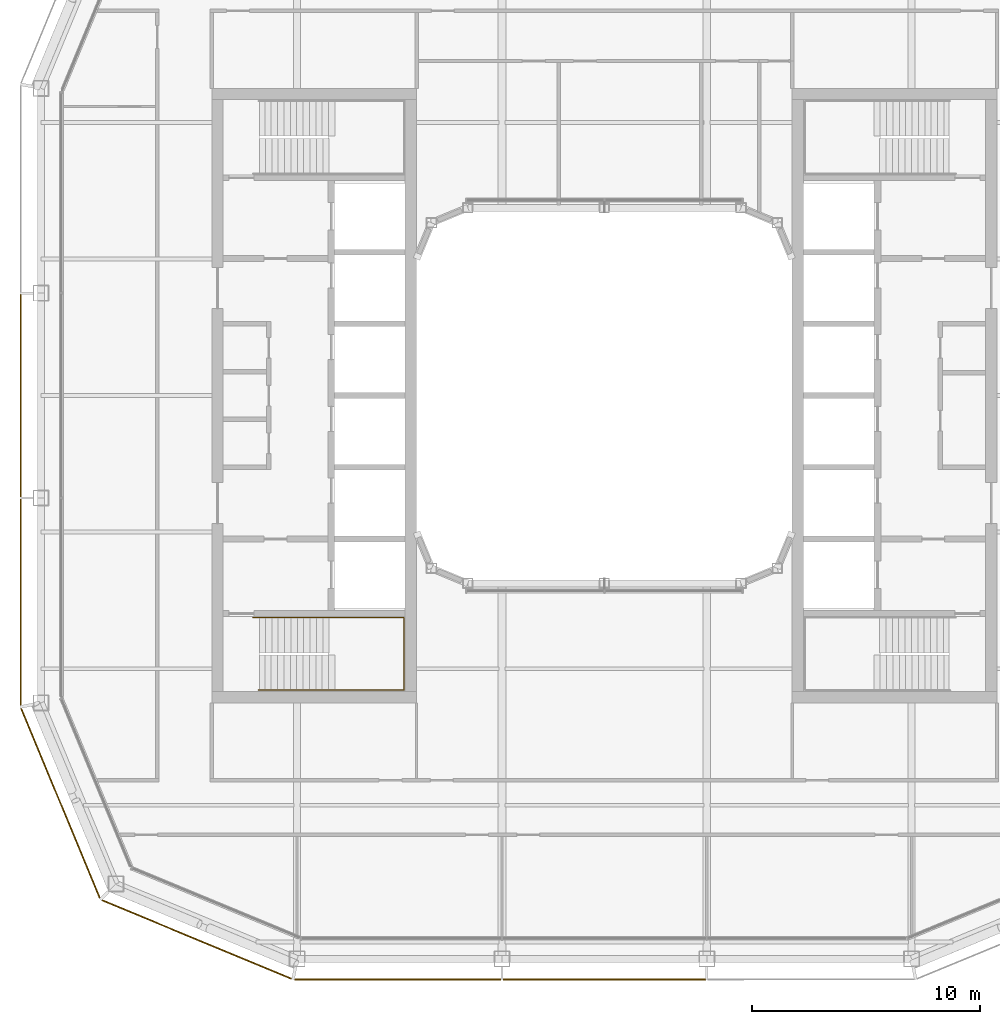
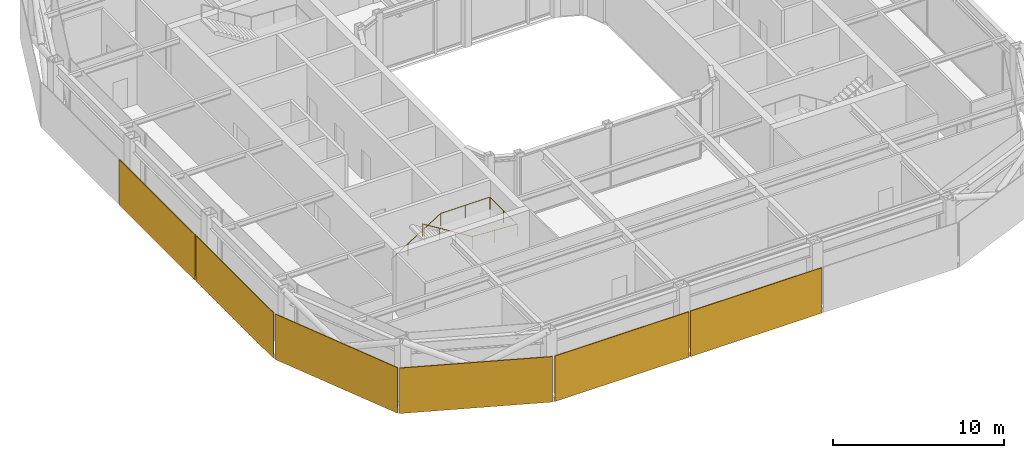
# One storey, part 17 of 21: 6 coverings, 1 railing.
"""IFC4 building model written with IfcOpenShell, lengths in metres."""

from ifc_helpers import new_model, si_unit, direction, frame, origin, origin_2d, place, context, subcontext, project, spatial, rectangle, circle, extrude, material, layer, layer_set, type_object, element, save


model = new_model("IFC4")

# Units and contexts
model_context = context("Model", 3, precision=1e-05, world=origin(), true_north=direction((0.0, 1.0)))
body_context = subcontext(model_context, "Body", "Model", "MODEL_VIEW")
ifc_project = project(units=[si_unit("LENGTHUNIT", "METRE"), si_unit("AREAUNIT", "SQUARE_METRE"), si_unit("VOLUMEUNIT", "CUBIC_METRE"), si_unit("PLANEANGLEUNIT", "RADIAN"), si_unit("MASSUNIT", "GRAM", prefix="KILO")], contexts=[model_context])

# Site, building, storey
site_placement = place(None, origin())
site = spatial("IfcSite", under=ifc_project, at=site_placement, CompositionType="ELEMENT")
building_placement = place(site_placement, origin())
building = spatial("IfcBuilding", under=site, at=building_placement, Name="Siwar Civic Tower", CompositionType="ELEMENT")
storey_placement = place(building_placement, frame((0.0, 0.0, 343.699951171875)))
storey = spatial("IfcBuildingStorey", under=building, at=storey_placement, Name="L74", CompositionType="ELEMENT", Elevation=343.699951171875)

# Railing
ifc_material_1 = material(Name="Stainless steel", Category="steel")
railing_type = type_object("IfcRailingType", Name="CORE-STAIR-HANDRAIL", PredefinedType="HANDRAIL", material=ifc_material_1)
railing_placement = place(storey_placement, frame((-15.449951171875, -9.758056640625, 0.173095703125)))
element("IfcRailing", 1, at=railing_placement, inside=storey, type_object=railing_type, Name="Stair handrail ST2", PredefinedType="HANDRAIL", context=body_context, shape_type="SweptSolid", body=[
    extrude(circle(Radius=0.02001953125, at=origin_2d()), frame((0.0, 0.0, 0.8798828125), z_axis=(0.847063342986, 0.0, 0.531491950051), x_axis=(0.0, 1.0, 0.0)), (0.0, 0.0, 1.0), 3.90771484375),
    extrude(circle(Radius=0.02001953125, at=origin_2d()), frame((3.31005859375, 0.0, 2.956787109375), z_axis=(1.0, 0.0, 0.0), x_axis=(0.0, 1.0, 0.0)), (0.0, 0.0, 1.0), 3.331787109375),
    extrude(circle(Radius=0.02001953125, at=origin_2d()), frame((6.641845703125, 0.0, 2.956787109375), z_axis=(0.0, -1.0, 0.0), x_axis=(1.0, 0.0, 0.0)), (0.0, 0.0, 1.0), 3.183837890625),
    extrude(circle(Radius=0.02001953125, at=origin_2d()), frame((6.641845703125, -3.183837890625, 2.956787109375), z_axis=(-0.99837434197, 0.0, 0.056997134106), x_axis=(0.0, -1.0, 0.0)), (0.0, 0.0, 1.0), 3.036865234375),
    extrude(circle(Radius=0.02001953125, at=origin_2d()), frame((3.60986328125, -3.183837890625, 3.1298828125), z_axis=(-0.850606129759, 0.0, 0.525803396734), x_axis=(0.0, -1.0, 0.0)), (0.0, 0.0, 1.0), 3.949951171875),
    extrude(circle(Radius=0.02001953125, at=origin_2d()), origin(), (0.0, 0.0, 1.0), 0.85986328125),
    extrude(circle(Radius=0.02001953125, at=origin_2d()), frame((1.103271484375, 0.0, 0.6923828125)), (0.0, 0.0, 1.0), 0.85986328125),
    extrude(circle(Radius=0.02001953125, at=origin_2d()), frame((2.206787109375, 0.0, 1.384521484375)), (0.0, 0.0, 1.0), 0.85986328125),
    extrude(circle(Radius=0.02001953125, at=origin_2d()), frame((3.31005859375, 0.0, 2.076904296875)), (0.0, 0.0, 1.0), 0.85986328125),
    extrude(circle(Radius=0.02001953125, at=origin_2d()), frame((4.97607421875, 0.0, 2.076904296875)), (0.0, 0.0, 1.0), 0.85986328125),
    extrude(circle(Radius=0.02001953125, at=origin_2d()), frame((6.641845703125, 0.0, 2.076904296875)), (0.0, 0.0, 1.0), 0.85986328125),
    extrude(circle(Radius=0.02001953125, at=origin_2d()), frame((6.641845703125, -1.591796875, 2.076904296875)), (0.0, 0.0, 1.0), 0.85986328125),
    extrude(circle(Radius=0.02001953125, at=origin_2d()), frame((6.641845703125, -3.183837890625, 2.076904296875)), (0.0, 0.0, 1.0), 0.85986328125),
    extrude(circle(Radius=0.02001953125, at=origin_2d()), frame((5.1259765625, -3.183837890625, 2.16357421875)), (0.0, 0.0, 1.0), 0.85986328125),
    extrude(circle(Radius=0.02001953125, at=origin_2d()), frame((3.60986328125, -3.183837890625, 2.25)), (0.0, 0.0, 1.0), 0.85986328125),
    extrude(circle(Radius=0.02001953125, at=origin_2d()), frame((2.489990234375, -3.183837890625, 2.9423828125)), (0.0, 0.0, 1.0), 0.85986328125),
    extrude(circle(Radius=0.02001953125, at=origin_2d()), frame((1.369873046875, -3.183837890625, 3.634521484375)), (0.0, 0.0, 1.0), 0.85986328125),
    extrude(circle(Radius=0.02001953125, at=origin_2d()), frame((0.25, -3.183837890625, 4.326904296875)), (0.0, 0.0, 1.0), 0.85986328125),
])

# Coverings
ifc_material_2 = material(Name="Perforated aluminium cassette, pale metal", Category="aluminium")
ifc_layer_1 = layer(ifc_material_2, 0.050048828125)
ifc_layer_set_1 = layer_set([ifc_layer_1], Name="Perforated aluminium cassette, pale metal")
covering_type_1 = type_object("IfcCoveringType", Name="ENV-OUTER SKIN OS-3", PredefinedType="CLADDING", material=ifc_layer_set_1)
covering_1_placement = place(storey_placement, frame((-25.64990234375, 0.0, -0.14990234375), z_axis=(0.0, 0.0, 1.0), x_axis=(0.0, -1.0, 0.0)))
element("IfcCovering", 2, at=covering_1_placement, inside=storey, type_object=covering_type_1, Name="OUTER SKIN OS-3 W 2", PredefinedType="CLADDING", context=body_context, shape_type="SweptSolid", body=[
    extrude(rectangle(XDim=8.89990234375, YDim=0.050048828125, at=origin_2d()), origin(), (0.0, 0.0, 1.0), 3.25),
])
covering_2_placement = place(storey_placement, frame((-25.64990234375, -9.07958984375, -0.14990234375), z_axis=(0.0, 0.0, 1.0), x_axis=(0.0, -1.0, 0.0)))
element("IfcCovering", 3, at=covering_2_placement, inside=storey, type_object=covering_type_1, Name="OUTER SKIN OS-3 W 3", PredefinedType="CLADDING", context=body_context, shape_type="SweptSolid", body=[
    extrude(rectangle(XDim=9.05908203125, YDim=0.050048828125, at=origin_2d()), origin(), (0.0, 0.0, 1.0), 3.25),
])
ifc_material_3 = material(Name="Perforated aluminium cassette, pale metal", Category="aluminium")
ifc_layer_2 = layer(ifc_material_3, 0.054931640625)
ifc_layer_set_2 = layer_set([ifc_layer_2], Name="Perforated aluminium cassette, pale metal")
covering_type_2 = type_object("IfcCoveringType", Name="ENV-OUTER SKIN OS-4", PredefinedType="CLADDING", material=ifc_layer_set_2)
covering_3_placement = place(storey_placement, frame((-9.07958984375, -25.64990234375, -0.14990234375), z_axis=(0.0, 0.0, 1.0), x_axis=(1.0, 0.0, 0.0)))
element("IfcCovering", 4, at=covering_3_placement, inside=storey, type_object=covering_type_2, Name="OUTER SKIN OS-4 S 1", PredefinedType="CLADDING", context=body_context, shape_type="SweptSolid", body=[
    extrude(rectangle(XDim=9.05908203125, YDim=0.054931640625, at=origin_2d()), origin(), (0.0, 0.0, 1.0), 3.25),
])
covering_4_placement = place(storey_placement, frame((0.0, -25.64990234375, -0.14990234375), z_axis=(0.0, 0.0, 1.0), x_axis=(1.0, 0.0, 0.0)))
element("IfcCovering", 5, at=covering_4_placement, inside=storey, type_object=covering_type_2, Name="OUTER SKIN OS-4 S 2", PredefinedType="CLADDING", context=body_context, shape_type="SweptSolid", body=[
    extrude(rectangle(XDim=8.89990234375, YDim=0.054931640625, at=origin_2d()), origin(), (0.0, 0.0, 1.0), 3.25),
])
for number, where, z_axis, x_axis, name in (
    (6, (-23.89697265625, -17.911376953125, -0.14990234375), (0.0, 0.0, 1.0), (0.382683432365, -0.923879532511, 0.0), "OUTER SKIN OS-4 SW1 1"),
    (7, (-17.911376953125, -23.89697265625, -0.14990234375), (0.0, 0.0, 1.0), (0.923879532511, -0.382683432365, 0.0), "OUTER SKIN OS-4 SW2 1"),
):
    element("IfcCovering", number, at=place(storey_placement, frame(where, z_axis=z_axis, x_axis=x_axis)), inside=storey, type_object=covering_type_2, Name=name, PredefinedType="CLADDING", context=body_context, shape_type="SweptSolid", body=[
        extrude(rectangle(XDim=9.022216796875, YDim=0.054931640625, at=origin_2d()), origin(), (0.0, 0.0, 1.0), 3.25),
    ])

save(model, "model.ifc")
